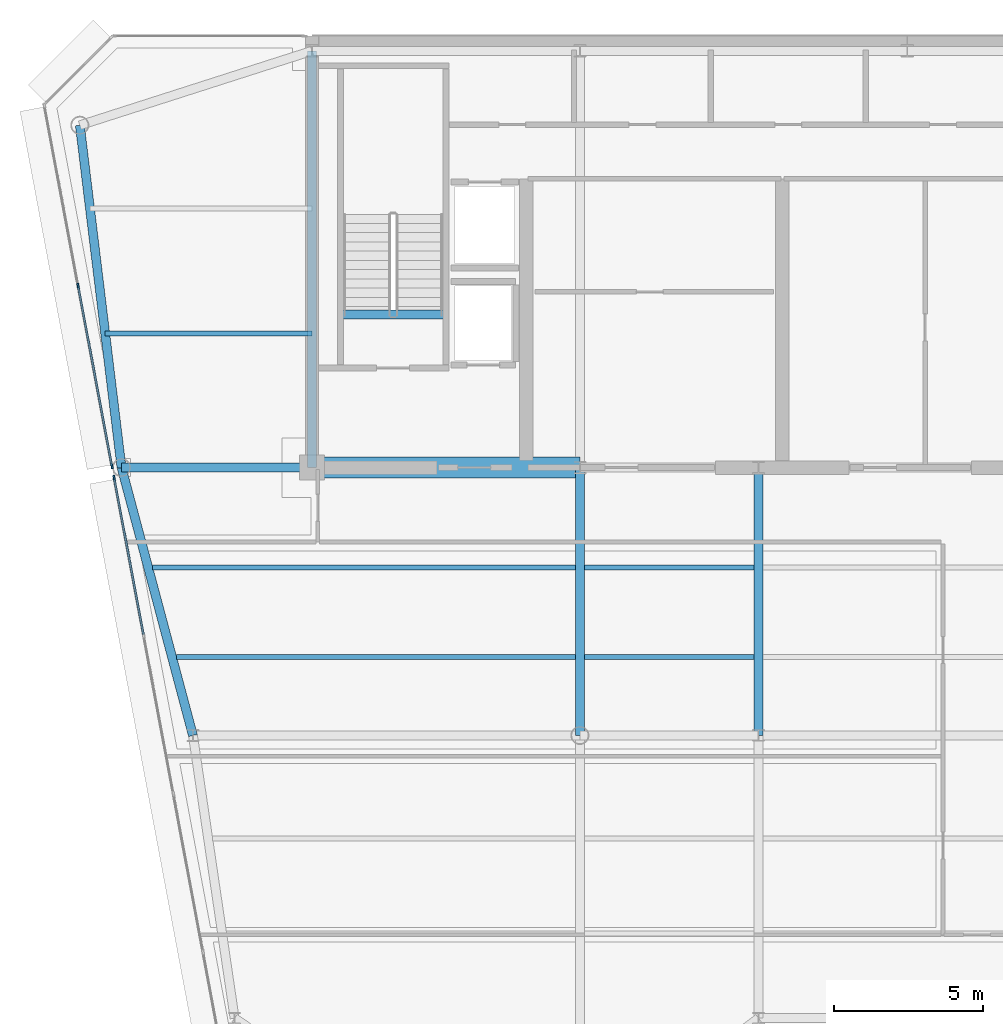
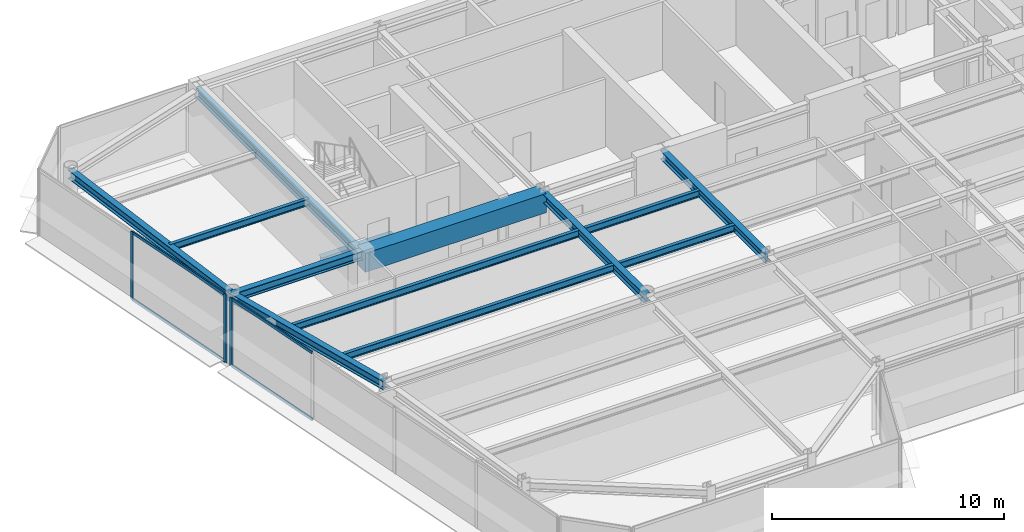
# One storey, part 4 of 20: 13 beams, 7 members, 2 elements without a shape of their own.
"""IFC4 building model written with IfcOpenShell, lengths in metres."""

from ifc_helpers import new_model, si_unit, direction, frame, origin, origin_2d, place, context, subcontext, project, spatial, rectangle, i_section, extrude, source, transform, mapped, material, layer, layer_set, material_profile, profile_set, type_object, element, aggregate, save


model = new_model("IFC4")

# Units and contexts
model_context = context("Model", 3, precision=1e-05, world=origin(), true_north=direction((0.0, 1.0)))
body_context = subcontext(model_context, "Body", "Model", "MODEL_VIEW")
ifc_project = project(units=[si_unit("LENGTHUNIT", "METRE"), si_unit("AREAUNIT", "SQUARE_METRE"), si_unit("VOLUMEUNIT", "CUBIC_METRE"), si_unit("PLANEANGLEUNIT", "RADIAN"), si_unit("MASSUNIT", "GRAM", prefix="KILO")], contexts=[model_context])

# Site, building, storey
site_placement = place(None, origin())
site = spatial("IfcSite", under=ifc_project, at=site_placement, CompositionType="ELEMENT")
building_placement = place(site_placement, origin())
building = spatial("IfcBuilding", under=site, at=building_placement, Name="Vaeldorn Concourse Tower", CompositionType="ELEMENT")
storey_placement = place(building_placement, frame((0.0, 0.0, 280.199951171875)))
storey = spatial("IfcBuildingStorey", under=building, at=storey_placement, Name="L72", CompositionType="ELEMENT", Elevation=280.199951171875)

# Beams
ifc_material_1 = material(Name="Concrete C50/60", Category="concrete")
ifc_material_profile_1 = material_profile(ifc_material_1, rectangle(XDim=0.699951171875, YDim=1.0, at=origin_2d()), Name="RC 700x1000")
ifc_profile_set_1 = profile_set([ifc_material_profile_1], Name="Concrete C50/60")
beam_type_1 = type_object("IfcBeamType", Name="BM-CB-RC700", PredefinedType="BEAM", material=ifc_profile_set_1)
shared_shape_1 = source(origin(), body_context, "Body", "SweptSolid", [
    extrude(rectangle(XDim=0.699951171875, YDim=1.0, at=origin_2d()), origin(), (0.0, 0.0, 1.0), 9.0),
])
beam_1_placement = place(storey_placement, frame((14.0, 36.5, 3.080078125), z_axis=(1.0, 0.0, 0.0), x_axis=(0.0, 1.0, 0.0)))
element("IfcBeam", 1, at=beam_1_placement, inside=storey, type_object=beam_type_1, Name="Core Coupling Beam L72-1", PredefinedType="BEAM", context=body_context, shape_type="MappedRepresentation", body=[
    mapped(shared_shape_1, transform((0.0, 0.0, 0.0), scale=1.0)),
])
ifc_material_2 = material(Name="Steel S355", Category="steel")
ifc_material_profile_2 = material_profile(ifc_material_2, i_section(OverallWidth=0.300048828125, OverallDepth=0.340087890625, WebThickness=0.011962890625, FlangeThickness=0.021484375, FilletRadius=0.027099609375, at=origin_2d()), Name="HEB 340")
ifc_profile_set_2 = profile_set([ifc_material_profile_2], Name="Steel S355")
beam_type_2 = type_object("IfcBeamType", Name="BM-ST-TRIM", PredefinedType="BEAM", material=ifc_profile_set_2)
shared_shape_2 = source(origin(), body_context, "Body", "SweptSolid", [
    extrude(i_section(OverallWidth=0.300048828125, OverallDepth=0.340087890625, WebThickness=0.011962890625, FlangeThickness=0.021484375, FilletRadius=0.027099609375, at=origin_2d()), origin(), (0.0, 0.0, 1.0), 3.590087890625),
])
beam_2_placement = place(storey_placement, frame((14.929931640625, 41.639892578125, -0.389892578125), z_axis=(1.0, 0.0, 0.0), x_axis=(0.0, 1.0, 0.0)))
element("IfcBeam", 2, at=beam_2_placement, inside=storey, type_object=beam_type_2, Name="Stair Landing Trimmer Beam ST-1 L72", PredefinedType="BEAM", context=body_context, shape_type="MappedRepresentation", body=[
    mapped(shared_shape_2, transform((0.0, 0.0, 0.0), scale=1.0)),
])
ifc_material_profile_3 = material_profile(ifc_material_2, i_section(OverallWidth=0.169921875, OverallDepth=0.360107421875, WebThickness=0.008056640625, FlangeThickness=0.0126953125, FilletRadius=0.01806640625, at=origin_2d()), Name="IPE 360")
ifc_profile_set_3 = profile_set([ifc_material_profile_3], Name="Steel S355")
beam_type_3 = type_object("IfcBeamType", Name="BM-JS-IPE360", PredefinedType="JOIST", material=ifc_profile_set_3)
shared_shape_3 = source(origin(), body_context, "Body", "SweptSolid", [
    extrude(i_section(OverallWidth=0.169921875, OverallDepth=0.360107421875, WebThickness=0.008056640625, FlangeThickness=0.0126953125, FilletRadius=0.01806640625, at=origin_2d()), origin(), (0.0, 0.0, 1.0), 6.94775390625),
])
beam_3_placement = place(storey_placement, frame((7.05224609375, 41.0, 3.400146484375), z_axis=(1.0, 0.0, 0.0), x_axis=(0.0, 1.0, 0.0)))
element("IfcBeam", 3, at=beam_3_placement, inside=storey, type_object=beam_type_3, Name="Beam JS-L72-NW-410", PredefinedType="JOIST", context=body_context, shape_type="MappedRepresentation", body=[
    mapped(shared_shape_3, transform((0.0, 0.0, 0.0), scale=1.0)),
])
shared_shape_4 = source(origin(), body_context, "Body", "SweptSolid", [
    extrude(i_section(OverallWidth=0.169921875, OverallDepth=0.360107421875, WebThickness=0.008056640625, FlangeThickness=0.0126953125, FilletRadius=0.01806640625, at=origin_2d()), origin(), (0.0, 0.0, 1.0), 5.7001953125),
])
for number, where, z_axis, x_axis, name in (
    (4, (23.14990234375, 30.139892578125, 3.400146484375), (1.0, 0.0, 0.0), (0.0, 1.0, 0.0), "Beam JS-L72-W2-301"),
    (5, (23.14990234375, 33.139892578125, 3.400146484375), (1.0, 0.0, 0.0), (0.0, 1.0, 0.0), "Beam JS-L72-W2-331"),
):
    element("IfcBeam", number, at=place(storey_placement, frame(where, z_axis=z_axis, x_axis=x_axis)), inside=storey, type_object=beam_type_3, Name=name, PredefinedType="JOIST", context=body_context, shape_type="MappedRepresentation", body=[
        mapped(shared_shape_4, transform((0.0, 0.0, 0.0), scale=1.0)),
    ])
ifc_material_profile_4 = material_profile(ifc_material_2, i_section(OverallWidth=0.300048828125, OverallDepth=0.449951171875, WebThickness=0.013916015625, FlangeThickness=0.02587890625, FilletRadius=0.027099609375, at=origin_2d()), Name="HEB 450")
ifc_profile_set_4 = profile_set([ifc_material_profile_4], Name="Steel S355")
beam_type_4 = type_object("IfcBeamType", Name="BM-PG-HEB450", PredefinedType="BEAM", material=ifc_profile_set_4)
shared_shape_5 = source(origin(), body_context, "Body", "SweptSolid", [
    extrude(i_section(OverallWidth=0.300048828125, OverallDepth=0.449951171875, WebThickness=0.013916015625, FlangeThickness=0.02587890625, FilletRadius=0.027099609375, at=origin_2d()), origin(), (0.0, 0.0, 1.0), 9.0),
])
for number, where, z_axis, x_axis, name in (
    (6, (23.0, 27.5, 3.35498046875), (0.0, 1.0, 0.0), (-1.0, 0.0, 0.0), "Beam BM-L72-C-TW1-C-FC2"),
    (7, (29.0, 27.5, 3.35498046875), (0.0, 1.0, 0.0), (-1.0, 0.0, 0.0), "Beam BM-L72-C-TW2-C-FC3"),
):
    element("IfcBeam", number, at=place(storey_placement, frame(where, z_axis=z_axis, x_axis=x_axis)), inside=storey, type_object=beam_type_4, Name=name, PredefinedType="BEAM", context=body_context, shape_type="MappedRepresentation", body=[
        mapped(shared_shape_5, transform((0.0, 0.0, 0.0), scale=1.0)),
    ])
shared_shape_6 = source(origin(), body_context, "Body", "SweptSolid", [
    extrude(i_section(OverallWidth=0.300048828125, OverallDepth=0.449951171875, WebThickness=0.013916015625, FlangeThickness=0.02587890625, FilletRadius=0.027099609375, at=origin_2d()), origin(), (0.0, 0.0, 1.0), 14.0),
])
beam_4_placement = place(storey_placement, frame((14.0, 36.5, 3.35498046875), z_axis=(0.0, 1.0, 0.0), x_axis=(-1.0, 0.0, 0.0)))
element("IfcBeam", 8, at=beam_4_placement, inside=storey, type_object=beam_type_4, Name="Beam BM-L72-C-FC1-C-HC1", PredefinedType="BEAM", context=body_context, shape_type="MappedRepresentation", body=[
    mapped(shared_shape_6, transform((0.0, 0.0, 0.0), scale=1.0)),
])
shared_shape_7 = source(origin(), body_context, "Body", "SweptSolid", [
    extrude(i_section(OverallWidth=0.300048828125, OverallDepth=0.449951171875, WebThickness=0.013916015625, FlangeThickness=0.02587890625, FilletRadius=0.027099609375, at=origin_2d()), origin(), (0.0, 0.0, 1.0), 11.5849609375),
])
beam_5_placement = place(storey_placement, frame((6.199951171875, 48.0, 3.35498046875), z_axis=(0.120859382899, -0.992669637677, 0.0), x_axis=(0.992669637677, 0.120859382899, 0.0)))
element("IfcBeam", 9, at=beam_5_placement, inside=storey, type_object=beam_type_4, Name="Beam BM-L72-C-NW1-C-NW2", PredefinedType="BEAM", context=body_context, shape_type="MappedRepresentation", body=[
    mapped(shared_shape_7, transform((0.0, 0.0, 0.0), scale=1.0)),
])
shared_shape_8 = source(origin(), body_context, "Body", "SweptSolid", [
    extrude(i_section(OverallWidth=0.300048828125, OverallDepth=0.449951171875, WebThickness=0.013916015625, FlangeThickness=0.02587890625, FilletRadius=0.027099609375, at=origin_2d()), origin(), (0.0, 0.0, 1.0), 6.39990234375),
])
beam_6_placement = place(storey_placement, frame((7.60009765625, 36.5, 3.35498046875), z_axis=(1.0, 0.0, 0.0), x_axis=(0.0, 1.0, 0.0)))
element("IfcBeam", 10, at=beam_6_placement, inside=storey, type_object=beam_type_4, Name="Beam BM-L72-C-NW2-C-FC1", PredefinedType="BEAM", context=body_context, shape_type="MappedRepresentation", body=[
    mapped(shared_shape_8, transform((0.0, 0.0, 0.0), scale=1.0)),
])
shared_shape_9 = source(origin(), body_context, "Body", "SweptSolid", [
    extrude(i_section(OverallWidth=0.300048828125, OverallDepth=0.449951171875, WebThickness=0.013916015625, FlangeThickness=0.02587890625, FilletRadius=0.027099609375, at=origin_2d()), origin(), (0.0, 0.0, 1.0), 9.314453125),
])
beam_7_placement = place(storey_placement, frame((7.60009765625, 36.5, 3.35498046875), z_axis=(0.257652862255, -0.966237549763, 0.0), x_axis=(0.966237549763, 0.257652862255, 0.0)))
element("IfcBeam", 11, at=beam_7_placement, inside=storey, type_object=beam_type_4, Name="Beam BM-L72-C-NW2-C-FLW1", PredefinedType="BEAM", context=body_context, shape_type="MappedRepresentation", body=[
    mapped(shared_shape_9, transform((0.0, 0.0, 0.0), scale=1.0)),
])
shared_shape_10 = source(origin(), body_context, "Body", "SweptSolid", [
    extrude(i_section(OverallWidth=0.169921875, OverallDepth=0.360107421875, WebThickness=0.008056640625, FlangeThickness=0.0126953125, FilletRadius=0.01806640625, at=origin_2d()), origin(), (0.0, 0.0, 1.0), 13.404052734375),
])
beam_8_placement = place(storey_placement, frame((9.446044921875, 30.139892578125, 3.400146484375), z_axis=(1.0, 0.0, 0.0), x_axis=(0.0, 1.0, 0.0)))
element("IfcBeam", 12, at=beam_8_placement, inside=storey, type_object=beam_type_3, Name="Beam JS-L72-W1-301", PredefinedType="JOIST", context=body_context, shape_type="MappedRepresentation", body=[
    mapped(shared_shape_10, transform((0.0, 0.0, 0.0), scale=1.0)),
])
shared_shape_11 = source(origin(), body_context, "Body", "SweptSolid", [
    extrude(i_section(OverallWidth=0.169921875, OverallDepth=0.360107421875, WebThickness=0.008056640625, FlangeThickness=0.0126953125, FilletRadius=0.01806640625, at=origin_2d()), origin(), (0.0, 0.0, 1.0), 14.2041015625),
])
beam_9_placement = place(storey_placement, frame((8.64599609375, 33.139892578125, 3.400146484375), z_axis=(1.0, 0.0, 0.0), x_axis=(0.0, 1.0, 0.0)))
element("IfcBeam", 13, at=beam_9_placement, inside=storey, type_object=beam_type_3, Name="Beam JS-L72-W1-331", PredefinedType="JOIST", context=body_context, shape_type="MappedRepresentation", body=[
    mapped(shared_shape_11, transform((0.0, 0.0, 0.0), scale=1.0)),
])

# Curtain wall, members
ifc_material_3 = material(Name="Anodised Bronze Aluminium", Category="aluminium")
ifc_layer = layer(ifc_material_3, 0.179931640625)
ifc_layer_set = layer_set([ifc_layer], Name="Anodised Bronze Aluminium")
curtain_wall_type = type_object("IfcCurtainWallType", Name="CW-SYS-05", PredefinedType="NOTDEFINED", material=ifc_layer_set)
curtain_wall_1_placement = place(storey_placement, origin())
curtain_wall_1 = element("IfcCurtainWall", 14, at=curtain_wall_1_placement, inside=storey, type_object=curtain_wall_type, Name="Unitised Curtain Wall CW-L72-E11-1", PredefinedType="NOTDEFINED")
ifc_material_profile_5 = material_profile(ifc_material_3, rectangle(XDim=0.06494140625, YDim=0.169921875, at=origin_2d()), Name="CWM 65x170")
ifc_profile_set_5 = profile_set([ifc_material_profile_5], Name="Anodised Bronze Aluminium")
member_type_1 = type_object("IfcMemberType", Name="CWM-BRONZE-170", PredefinedType="MULLION", material=ifc_profile_set_5)
shared_shape_12 = source(origin(), body_context, "Body", "SweptSolid", [
    extrude(rectangle(XDim=0.06494140625, YDim=0.169921875, at=origin_2d()), origin(), (0.0, 0.0, 1.0), 3.580078125),
])
member_1_placement = place(storey_placement, frame((6.142578125, 42.605224609375, 0.0), z_axis=(0.0, 0.0, 1.0), x_axis=(0.982880218842, 0.184245693053, 0.0)))
member_1 = element("IfcMember", 15, at=member_1_placement, type_object=member_type_1, Name="CW-05 mullion 2", PredefinedType="MULLION", context=body_context, shape_type="MappedRepresentation", body=[
    mapped(shared_shape_12, transform((0.0, 0.0, 0.0), scale=1.0)),
])
member_2_placement = place(storey_placement, frame((7.279052734375, 36.542236328125, 0.0), z_axis=(0.0, 0.0, 1.0), x_axis=(0.982880218842, 0.184245693053, 0.0)))
member_2 = element("IfcMember", 16, at=member_2_placement, type_object=member_type_1, Name="CW-05 mullion 3", PredefinedType="MULLION", context=body_context, shape_type="MappedRepresentation", body=[
    mapped(shared_shape_12, transform((0.0, 0.0, 0.0), scale=1.0)),
])

curtain_wall_2_placement = place(storey_placement, origin())
curtain_wall_2 = element("IfcCurtainWall", 17, at=curtain_wall_2_placement, inside=storey, type_object=curtain_wall_type, Name="Unitised Curtain Wall CW-L72-E11-2", PredefinedType="NOTDEFINED")
member_3_placement = place(storey_placement, frame((7.35205078125, 36.153076171875, 0.0), z_axis=(0.0, 0.0, 1.0), x_axis=(0.982880027444, 0.184246714088, 0.0)))
member_3 = element("IfcMember", 18, at=member_3_placement, type_object=member_type_1, Name="CW-05 mullion 1", PredefinedType="MULLION", context=body_context, shape_type="MappedRepresentation", body=[
    mapped(shared_shape_12, transform((0.0, 0.0, 0.0), scale=1.0)),
])
ifc_material_profile_6 = material_profile(ifc_material_3, rectangle(XDim=0.06494140625, YDim=0.14990234375, at=origin_2d()), Name="CWT 65x150")
ifc_profile_set_6 = profile_set([ifc_material_profile_6], Name="Anodised Bronze Aluminium")
member_type_2 = type_object("IfcMemberType", Name="CWT-BRONZE-150", PredefinedType="USERDEFINED", material=ifc_profile_set_6)
shared_shape_13 = source(origin(), body_context, "Body", "SweptSolid", [
    extrude(rectangle(XDim=0.06494140625, YDim=0.14990234375, at=origin_2d()), origin(), (0.0, 0.0, 1.0), 5.31640625),
])
member_4_placement = place(storey_placement, frame((7.35791015625, 36.12109375, 0.032470703125), z_axis=(0.184241399207, -0.982881023735, 0.0), x_axis=(0.982881023735, 0.184241399207, 0.0)))
member_4 = element("IfcMember", 19, at=member_4_placement, type_object=member_type_2, Name="CW-05 transom 1.1", ObjectType="TRANSOM", PredefinedType="USERDEFINED", context=body_context, shape_type="MappedRepresentation", body=[
    mapped(shared_shape_13, transform((0.0, 0.0, 0.0), scale=1.0)),
])
member_5_placement = place(storey_placement, frame((7.35791015625, 36.12109375, 3.547607421875), z_axis=(0.184241399207, -0.982881023735, 0.0), x_axis=(0.982881023735, 0.184241399207, 0.0)))
member_5 = element("IfcMember", 20, at=member_5_placement, type_object=member_type_2, Name="CW-05 transom 1.2", ObjectType="TRANSOM", PredefinedType="USERDEFINED", context=body_context, shape_type="MappedRepresentation", body=[
    mapped(shared_shape_13, transform((0.0, 0.0, 0.0), scale=1.0)),
])
aggregate(curtain_wall_2, [member_3, member_4, member_5])

# Member
shared_shape_14 = source(origin(), body_context, "Body", "SweptSolid", [
    extrude(rectangle(XDim=0.06494140625, YDim=0.14990234375, at=origin_2d()), origin(), (0.0, 0.0, 1.0), 6.103515625),
])
member_6_placement = place(storey_placement, frame((6.1484375, 42.5732421875, 0.032470703125), z_axis=(0.18424023288, -0.982881242363, 0.0), x_axis=(0.982881242363, 0.18424023288, 0.0)))
member_6 = element("IfcMember", 21, at=member_6_placement, type_object=member_type_2, Name="CW-05 transom 2.1", ObjectType="TRANSOM", PredefinedType="USERDEFINED", context=body_context, shape_type="MappedRepresentation", body=[
    mapped(shared_shape_14, transform((0.0, 0.0, 0.0), scale=1.0)),
])

member_7_placement = place(storey_placement, frame((6.1484375, 42.5732421875, 3.547607421875), z_axis=(0.18424023288, -0.982881242363, 0.0), x_axis=(0.982881242363, 0.18424023288, 0.0)))
member_7 = element("IfcMember", 22, at=member_7_placement, type_object=member_type_2, Name="CW-05 transom 2.2", ObjectType="TRANSOM", PredefinedType="USERDEFINED", context=body_context, shape_type="MappedRepresentation", body=[
    mapped(shared_shape_14, transform((0.0, 0.0, 0.0), scale=1.0)),
])

aggregate(curtain_wall_1, [member_1, member_2, member_6, member_7])

save(model, "model.ifc")
